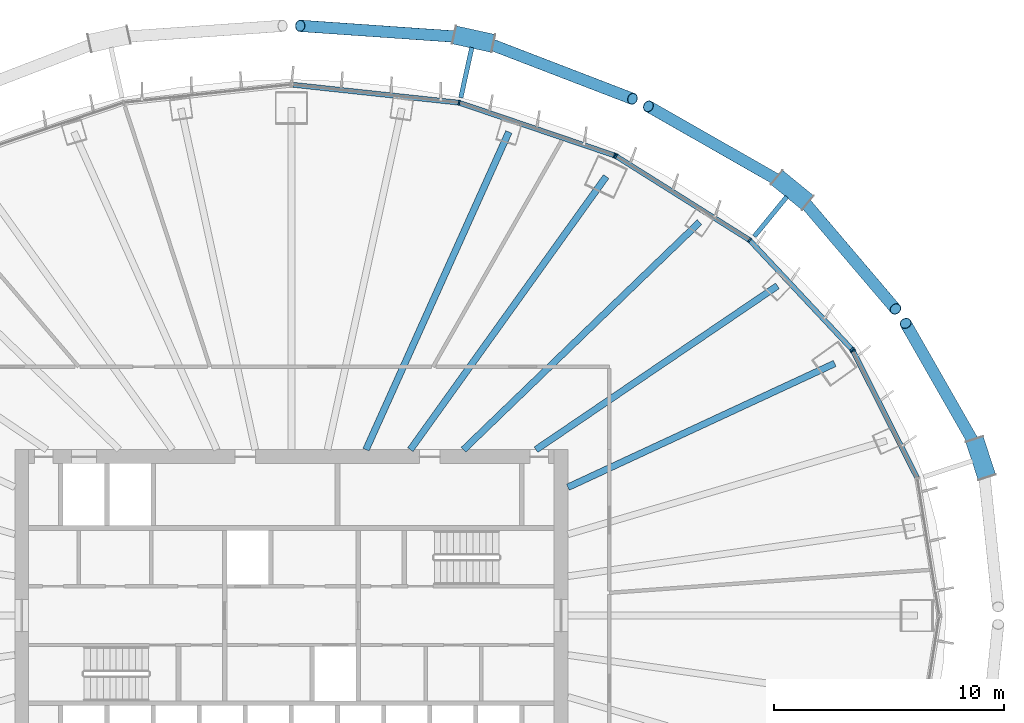
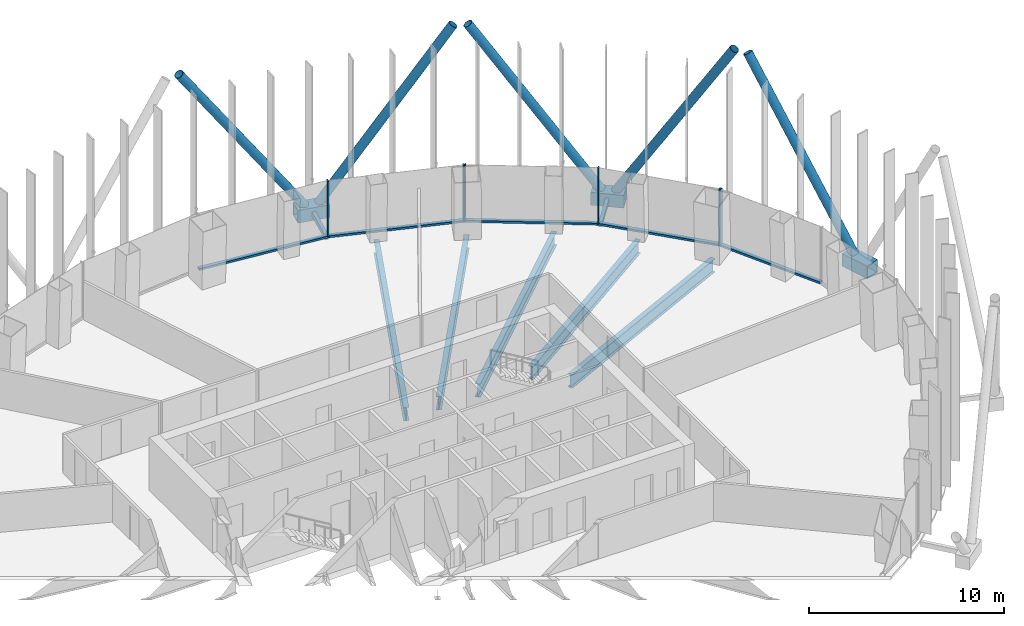
# One storey, part 6 of 22: 21 members, 5 beams, 3 elements without a shape of their own.
"""IFC4 building model written with IfcOpenShell, lengths in metres."""

from ifc_helpers import new_model, si_unit, direction, frame, origin, origin_2d, place, context, subcontext, project, spatial, rectangle, hollow_rectangle, hollow_circle, i_section, extrude, material, layer, layer_set, material_profile, profile_set, type_object, element, aggregate, save


model = new_model("IFC4")

# Units and contexts
model_context = context("Model", 3, precision=1e-05, world=origin(), true_north=direction((0.0, 1.0)))
body_context = subcontext(model_context, "Body", "Model", "MODEL_VIEW")
ifc_project = project(units=[si_unit("LENGTHUNIT", "METRE"), si_unit("AREAUNIT", "SQUARE_METRE"), si_unit("VOLUMEUNIT", "CUBIC_METRE"), si_unit("PLANEANGLEUNIT", "RADIAN"), si_unit("MASSUNIT", "GRAM", prefix="KILO")], contexts=[model_context])

# Site, building, storey
site_placement = place(None, origin())
site = spatial("IfcSite", under=ifc_project, at=site_placement, CompositionType="ELEMENT")
building_placement = place(site_placement, origin())
building = spatial("IfcBuilding", under=site, at=building_placement, Name="Siaravel Broadcast Tower", CompositionType="ELEMENT")
storey_placement = place(building_placement, frame((0.0, 0.0, 37.10009765625)))
storey = spatial("IfcBuildingStorey", under=building, at=storey_placement, Name="L07", CompositionType="ELEMENT", Elevation=37.10009765625)

# Beams
ifc_material_1 = material(Name="Steel S355", Category="steel")
ifc_material_profile_1 = material_profile(ifc_material_1, i_section(OverallWidth=0.291748046875, OverallDepth=0.8349609375, WebThickness=0.013916015625, FlangeThickness=0.018798828125, FilletRadius=0.017822265625, at=origin_2d()))
ifc_profile_set_1 = profile_set([ifc_material_profile_1], Name="Steel S355")
beam_type = type_object("IfcBeamType", Name="BM-UB 838x292x176", PredefinedType="BEAM", material=ifc_profile_set_1)
beam_1_placement = place(storey_placement, frame((23.5732421875, 10.939697265625, -0.5673828125), z_axis=(-0.907082041, -0.420953882, 0.0), x_axis=(0.420953882, -0.907082041, 0.0)))
element("IfcBeam", 1, at=beam_1_placement, inside=storey, type_object=beam_type, Name="Radial beam RB04", PredefinedType="BEAM", context=body_context, shape_type="SweptSolid", body=[
    extrude(i_section(OverallWidth=0.291748046875, OverallDepth=0.8349609375, WebThickness=0.013916015625, FlangeThickness=0.018798828125, FilletRadius=0.017822265625, at=origin_2d()), origin(), (0.0, 0.0, 1.0), 12.7587890625),
])
beam_2_placement = place(storey_placement, frame((21.088134765625, 14.305908203125, -0.5673828125), z_axis=(-0.827542342, -0.561403306, 0.0), x_axis=(0.561403306, -0.827542342, 0.0)))
element("IfcBeam", 2, at=beam_2_placement, inside=storey, type_object=beam_type, Name="Radial beam RB05", PredefinedType="BEAM", context=body_context, shape_type="SweptSolid", body=[
    extrude(i_section(OverallWidth=0.291748046875, OverallDepth=0.8349609375, WebThickness=0.013916015625, FlangeThickness=0.018798828125, FilletRadius=0.017822265625, at=origin_2d()), origin(), (0.0, 0.0, 1.0), 12.657470703125),
])
beam_3_placement = place(storey_placement, frame((17.7109375, 17.072021484375, -0.5673828125), z_axis=(-0.71997139, -0.694003745, 0.0), x_axis=(0.694003745, -0.71997139, 0.0)))
element("IfcBeam", 3, at=beam_3_placement, inside=storey, type_object=beam_type, Name="Radial beam RB06", PredefinedType="BEAM", context=body_context, shape_type="SweptSolid", body=[
    extrude(i_section(OverallWidth=0.291748046875, OverallDepth=0.8349609375, WebThickness=0.013916015625, FlangeThickness=0.018798828125, FilletRadius=0.017822265625, at=origin_2d()), origin(), (0.0, 0.0, 1.0), 14.224853515625),
])
beam_4_placement = place(storey_placement, frame((13.65869140625, 19.05126953125, -0.5673828125), z_axis=(-0.582661067, -0.812715252, 0.0), x_axis=(0.812715252, -0.582661067, 0.0)))
element("IfcBeam", 4, at=beam_4_placement, inside=storey, type_object=beam_type, Name="Radial beam RB07", PredefinedType="BEAM", context=body_context, shape_type="SweptSolid", body=[
    extrude(i_section(OverallWidth=0.291748046875, OverallDepth=0.8349609375, WebThickness=0.013916015625, FlangeThickness=0.018798828125, FilletRadius=0.017822265625, at=origin_2d()), origin(), (0.0, 0.0, 1.0), 14.582275390625),
])
beam_5_placement = place(storey_placement, frame((9.436279296875, 20.984130859375, -0.5673828125), z_axis=(-0.410122863, -0.912030283, 0.0), x_axis=(0.912030283, -0.410122863, 0.0)))
element("IfcBeam", 5, at=beam_5_placement, inside=storey, type_object=beam_type, Name="Radial beam RB08", PredefinedType="BEAM", context=body_context, shape_type="SweptSolid", body=[
    extrude(i_section(OverallWidth=0.291748046875, OverallDepth=0.8349609375, WebThickness=0.013916015625, FlangeThickness=0.018798828125, FilletRadius=0.017822265625, at=origin_2d()), origin(), (0.0, 0.0, 1.0), 15.11376953125),
])

# Curtain wall, member
ifc_material_2 = material(Name="Aluminium 6063-T6", Category="aluminium")
ifc_layer = layer(ifc_material_2, 0.219970703125)
ifc_layer_set = layer_set([ifc_layer], Name="Aluminium 6063-T6")
curtain_wall_type = type_object("IfcCurtainWallType", Name="Unitised curtain wall, zone 1", PredefinedType="NOTDEFINED", material=ifc_layer_set)
curtain_wall_1_placement = place(storey_placement, origin())
curtain_wall_1 = element("IfcCurtainWall", 6, at=curtain_wall_1_placement, inside=storey, type_object=curtain_wall_type, Name="L07 Unitised curtain wall, zone 1 01", PredefinedType="NOTDEFINED")
ifc_material_profile_2 = material_profile(ifc_material_2, rectangle(XDim=0.219970703125, YDim=0.070068359375, at=origin_2d()))
ifc_profile_set_2 = profile_set([ifc_material_profile_2], Name="Aluminium 6063-T6")
member_type_1 = type_object("IfcMemberType", Name="CW-Z1 mullion", PredefinedType="MULLION", material=ifc_profile_set_2)
member_1_placement = place(storey_placement, frame((24.362548828125, 11.4921875, 0.0), z_axis=(0.0, 0.0, 1.0), x_axis=(-0.892391814, -0.451261399, 0.0)))
member_1 = element("IfcMember", 7, at=member_1_placement, type_object=member_type_1, Name="CW-Z1 mullion 3", PredefinedType="MULLION", context=body_context, shape_type="SweptSolid", body=[
    extrude(rectangle(XDim=0.219970703125, YDim=0.070068359375, at=origin_2d()), origin(), (0.0, 0.0, 1.0), 3.5498046875),
])

# Curtain wall, members
curtain_wall_2_placement = place(storey_placement, origin())
curtain_wall_2 = element("IfcCurtainWall", 8, at=curtain_wall_2_placement, inside=storey, type_object=curtain_wall_type, Name="L07 Unitised curtain wall, zone 1 02", PredefinedType="NOTDEFINED")
member_2_placement = place(storey_placement, frame((24.322998046875, 11.549072265625, 0.0), z_axis=(0.0, 0.0, 1.0), x_axis=(-0.729804946, -0.683655426, 0.0)))
member_2 = element("IfcMember", 9, at=member_2_placement, type_object=member_type_1, Name="CW-Z1 mullion 1", PredefinedType="MULLION", context=body_context, shape_type="SweptSolid", body=[
    extrude(rectangle(XDim=0.219970703125, YDim=0.070068359375, at=origin_2d()), origin(), (0.0, 0.0, 1.0), 3.5498046875),
])
member_3_placement = place(storey_placement, frame((19.87744140625, 16.294677734375, 0.0), z_axis=(0.0, 0.0, 1.0), x_axis=(-0.63621841, -0.771508998, 0.0)))
member_3 = element("IfcMember", 10, at=member_3_placement, type_object=member_type_1, Name="CW-Z1 mullion 2", PredefinedType="MULLION", context=body_context, shape_type="SweptSolid", body=[
    extrude(rectangle(XDim=0.219970703125, YDim=0.070068359375, at=origin_2d()), origin(), (0.0, 0.0, 1.0), 3.5498046875),
])
member_4_placement = place(storey_placement, frame((14.083984375, 19.935791015625, 0.0), z_axis=(0.0, 0.0, 1.0), x_axis=(-0.532149101, -0.846650657, 0.0)))
member_4 = element("IfcMember", 11, at=member_4_placement, type_object=member_type_1, Name="CW-Z1 mullion 3", PredefinedType="MULLION", context=body_context, shape_type="SweptSolid", body=[
    extrude(rectangle(XDim=0.219970703125, YDim=0.070068359375, at=origin_2d()), origin(), (0.0, 0.0, 1.0), 3.5498046875),
])

curtain_wall_3_placement = place(storey_placement, origin())
curtain_wall_3 = element("IfcCurtainWall", 12, at=curtain_wall_3_placement, inside=storey, type_object=curtain_wall_type, Name="L07 Unitised curtain wall, zone 1 03", PredefinedType="NOTDEFINED")
member_5_placement = place(storey_placement, frame((14.021240234375, 19.9658203125, 0.0), z_axis=(0.0, 0.0, 1.0), x_axis=(-0.321300632, -0.946977246, 0.0)))
member_5 = element("IfcMember", 13, at=member_5_placement, type_object=member_type_1, Name="CW-Z1 mullion 1", PredefinedType="MULLION", context=body_context, shape_type="SweptSolid", body=[
    extrude(rectangle(XDim=0.219970703125, YDim=0.070068359375, at=origin_2d()), origin(), (0.0, 0.0, 1.0), 3.5498046875),
])
member_6_placement = place(storey_placement, frame((7.27490234375, 22.2548828125, 0.0), z_axis=(0.0, 0.0, 1.0), x_axis=(-0.215558083, -0.97649102, 0.0)))
member_6 = element("IfcMember", 14, at=member_6_placement, type_object=member_type_1, Name="CW-Z1 mullion 2", PredefinedType="MULLION", context=body_context, shape_type="SweptSolid", body=[
    extrude(rectangle(XDim=0.219970703125, YDim=0.070068359375, at=origin_2d()), origin(), (0.0, 0.0, 1.0), 3.5498046875),
])

# Member
ifc_material_profile_3 = material_profile(ifc_material_2, rectangle(XDim=0.219970703125, YDim=0.1201171875, at=origin_2d()))
ifc_profile_set_3 = profile_set([ifc_material_profile_3], Name="Aluminium 6063-T6")
member_type_2 = type_object("IfcMemberType", Name="CW-Z1 transom", PredefinedType="USERDEFINED", material=ifc_profile_set_3)
member_7_placement = place(storey_placement, frame((27.1416015625, 5.996826171875, 0.059814453125), z_axis=(-0.451275958, 0.892384452, 0.0), x_axis=(-0.892384452, -0.451275958, 0.0)))
member_7 = element("IfcMember", 15, at=member_7_placement, type_object=member_type_2, Name="CW-Z1 transom 2", ObjectType="TRANSOM", PredefinedType="USERDEFINED", context=body_context, shape_type="SweptSolid", body=[
    extrude(rectangle(XDim=0.219970703125, YDim=0.1201171875, at=origin_2d()), origin(), (0.0, 0.0, 1.0), 6.123046875),
])

aggregate(curtain_wall_1, [member_1, member_7])

member_8_placement = place(storey_placement, frame((24.299072265625, 11.574462890625, 0.059814453125), z_axis=(-0.683654492, 0.72980582, 0.0), x_axis=(-0.72980582, -0.683654492, 0.0)))
member_8 = element("IfcMember", 16, at=member_8_placement, type_object=member_type_2, Name="CW-Z1 transom 1", ObjectType="TRANSOM", PredefinedType="USERDEFINED", context=body_context, shape_type="SweptSolid", body=[
    extrude(rectangle(XDim=0.219970703125, YDim=0.1201171875, at=origin_2d()), origin(), (0.0, 0.0, 1.0), 6.4326171875),
])

member_9_placement = place(storey_placement, frame((19.847900390625, 16.313232421875, 0.059814453125), z_axis=(-0.846656967, 0.532139062, 0.0), x_axis=(-0.532139062, -0.846656967, 0.0)))
member_9 = element("IfcMember", 17, at=member_9_placement, type_object=member_type_2, Name="CW-Z1 transom 2", ObjectType="TRANSOM", PredefinedType="USERDEFINED", context=body_context, shape_type="SweptSolid", body=[
    extrude(rectangle(XDim=0.219970703125, YDim=0.1201171875, at=origin_2d()), origin(), (0.0, 0.0, 1.0), 6.772705078125),
])

aggregate(curtain_wall_2, [member_2, member_3, member_4, member_8, member_9])

member_10_placement = place(storey_placement, frame((13.988037109375, 19.97705078125, 0.059814453125), z_axis=(-0.946973811, 0.321310754, 0.0), x_axis=(-0.321310754, -0.946973811, 0.0)))
member_10 = element("IfcMember", 18, at=member_10_placement, type_object=member_type_2, Name="CW-Z1 transom 1", ObjectType="TRANSOM", PredefinedType="USERDEFINED", context=body_context, shape_type="SweptSolid", body=[
    extrude(rectangle(XDim=0.219970703125, YDim=0.1201171875, at=origin_2d()), origin(), (0.0, 0.0, 1.0), 7.05419921875),
])

member_11_placement = place(storey_placement, frame((7.239990234375, 22.258544921875, 0.059814453125), z_axis=(-0.994236438, 0.107209629, 0.0), x_axis=(-0.107209629, -0.994236438, 0.0)))
member_11 = element("IfcMember", 19, at=member_11_placement, type_object=member_type_2, Name="CW-Z1 transom 2", ObjectType="TRANSOM", PredefinedType="USERDEFINED", context=body_context, shape_type="SweptSolid", body=[
    extrude(rectangle(XDim=0.219970703125, YDim=0.1201171875, at=origin_2d()), origin(), (0.0, 0.0, 1.0), 7.2119140625),
])

aggregate(curtain_wall_3, [member_5, member_6, member_10, member_11])

# Members
ifc_material_3 = material(Name="Steel S460", Category="steel")
ifc_material_profile_4 = material_profile(ifc_material_3, hollow_circle(Radius=0.25390625, WallThickness=0.02001953125, at=origin_2d()))
ifc_profile_set_4 = profile_set([ifc_material_profile_4], Name="Steel S460")
member_type_3 = type_object("IfcMemberType", Name="Diagrid diagonal CHS 508x20", PredefinedType="BRACE", material=ifc_profile_set_4)
member_12_placement = place(storey_placement, frame((29.788818359375, 7.190673828125, 0.169921875), z_axis=(-0.257704977, 0.450853435, 0.854587225), x_axis=(-0.868181384, -0.496246999, 0.0)))
element("IfcMember", 20, at=member_12_placement, inside=storey, type_object=member_type_3, Name="Diagrid diagonal R04 station 03A", PredefinedType="BRACE", context=body_context, shape_type="SweptSolid", body=[
    extrude(hollow_circle(Radius=0.25390625, WallThickness=0.02001953125, at=origin_2d()), origin(), (0.0, 0.0, 1.0), 12.18115234375),
])
member_13_placement = place(storey_placement, frame((22.025390625, 18.222412109375, 0.169921875), z_axis=(0.341753532, -0.401555418, 0.849680981), x_axis=(0.761535421, 0.648123293, 0.0)))
element("IfcMember", 21, at=member_13_placement, inside=storey, type_object=member_type_3, Name="Diagrid diagonal R04 station 09C", PredefinedType="BRACE", context=body_context, shape_type="SweptSolid", body=[
    extrude(hollow_circle(Radius=0.25390625, WallThickness=0.02001953125, at=origin_2d()), origin(), (0.0, 0.0, 1.0), 12.25146484375),
])
member_14_placement = place(storey_placement, frame((21.4384765625, 18.703125, 0.169921875), z_axis=(-0.477526586, 0.272371369, 0.835333584), x_axis=(-0.495451824, -0.868635418, 0.0)))
element("IfcMember", 22, at=member_14_placement, inside=storey, type_object=member_type_3, Name="Diagrid diagonal R04 station 09A", PredefinedType="BRACE", context=body_context, shape_type="SweptSolid", body=[
    extrude(hollow_circle(Radius=0.25390625, WallThickness=0.02001953125, at=origin_2d()), origin(), (0.0, 0.0, 1.0), 12.4619140625),
])
member_15_placement = place(storey_placement, frame((8.279296875, 24.93115234375, 0.169921875), z_axis=(0.520194937, -0.200133392, 0.830267338), x_axis=(0.359070379, 0.933310486, 0.0)))
element("IfcMember", 23, at=member_15_placement, inside=storey, type_object=member_type_3, Name="Diagrid diagonal R04 station 15C", PredefinedType="BRACE", context=body_context, shape_type="SweptSolid", body=[
    extrude(hollow_circle(Radius=0.25390625, WallThickness=0.02001953125, at=origin_2d()), origin(), (0.0, 0.0, 1.0), 12.5380859375),
])
member_16_placement = place(storey_placement, frame((7.5380859375, 25.09375, 0.169921875), z_axis=(-0.566194211, 0.039198358, 0.823339301), x_axis=(-0.069065976, -0.997612094, 0.0)))
element("IfcMember", 24, at=member_16_placement, inside=storey, type_object=member_type_3, Name="Diagrid diagonal R04 station 15A", PredefinedType="BRACE", context=body_context, shape_type="SweptSolid", body=[
    extrude(hollow_circle(Radius=0.25390625, WallThickness=0.02001953125, at=origin_2d()), origin(), (0.0, 0.0, 1.0), 12.6435546875),
])
ifc_material_profile_5 = material_profile(ifc_material_3, hollow_rectangle(XDim=0.800048828125, YDim=0.800048828125, WallThickness=0.050048828125, at=origin_2d()))
ifc_profile_set_5 = profile_set([ifc_material_profile_5], Name="Steel S460")
member_type_4 = type_object("IfcMemberType", Name="Diagrid node BOX 800x800x50", PredefinedType="USERDEFINED", material=ifc_profile_set_5)
member_17_placement = place(storey_placement, frame((30.17431640625, 6.01220703125, -0.2001953125), z_axis=(-0.310817725, 0.950469538, 0.0), x_axis=(-0.950469538, -0.310817725, 0.0)))
element("IfcMember", 25, at=member_17_placement, inside=storey, type_object=member_type_4, Name="Diagrid node R04 station 03", ObjectType="DIAGRID NODE", PredefinedType="USERDEFINED", context=body_context, shape_type="SweptSolid", body=[
    extrude(hollow_rectangle(XDim=0.800048828125, YDim=0.800048828125, WallThickness=0.050048828125, at=origin_2d()), origin(), (0.0, 0.0, 1.0), 1.720947265625),
])
member_18_placement = place(storey_placement, frame((22.397705078125, 17.91748046875, -0.2001953125), z_axis=(-0.773634883, 0.63363165, 0.0), x_axis=(-0.63363165, -0.773634883, 0.0)))
element("IfcMember", 26, at=member_18_placement, inside=storey, type_object=member_type_4, Name="Diagrid node R04 station 09", ObjectType="DIAGRID NODE", PredefinedType="USERDEFINED", context=body_context, shape_type="SweptSolid", body=[
    extrude(hollow_rectangle(XDim=0.800048828125, YDim=0.800048828125, WallThickness=0.050048828125, at=origin_2d()), origin(), (0.0, 0.0, 1.0), 1.72119140625),
])
member_19_placement = place(storey_placement, frame((8.749267578125, 24.827880859375, -0.2001953125), z_axis=(-0.976724775, 0.214496421, 0.0), x_axis=(-0.214496421, -0.976724775, 0.0)))
element("IfcMember", 27, at=member_19_placement, inside=storey, type_object=member_type_4, Name="Diagrid node R04 station 15", ObjectType="DIAGRID NODE", PredefinedType="USERDEFINED", context=body_context, shape_type="SweptSolid", body=[
    extrude(hollow_rectangle(XDim=0.800048828125, YDim=0.800048828125, WallThickness=0.050048828125, at=origin_2d()), origin(), (0.0, 0.0, 1.0), 1.720947265625),
])
ifc_material_profile_6 = material_profile(ifc_material_3, hollow_rectangle(XDim=0.199951171875, YDim=0.300048828125, WallThickness=0.012451171875, at=origin_2d()))
ifc_profile_set_6 = profile_set([ifc_material_profile_6], Name="Steel S460")
member_type_5 = type_object("IfcMemberType", Name="Diagrid node arm RHS 300x200x12.5", PredefinedType="STRUT", material=ifc_profile_set_6)
member_20_placement = place(storey_placement, frame((20.08447265625, 16.451416015625, -0.2001953125), z_axis=(0.633613339, 0.77364988, 0.0), x_axis=(-0.77364988, 0.633613339, 0.0)))
element("IfcMember", 28, at=member_20_placement, inside=storey, type_object=member_type_5, Name="Node arm R04 station 09", PredefinedType="STRUT", context=body_context, shape_type="SweptSolid", body=[
    extrude(hollow_rectangle(XDim=0.199951171875, YDim=0.300048828125, WallThickness=0.012451171875, at=origin_2d()), origin(), (0.0, 0.0, 1.0), 2.229736328125),
])
member_21_placement = place(storey_placement, frame((7.351318359375, 22.472900390625, -0.2001953125), z_axis=(0.214460789, 0.976732599, 0.0), x_axis=(-0.976732599, 0.214460789, 0.0)))
element("IfcMember", 29, at=member_21_placement, inside=storey, type_object=member_type_5, Name="Node arm R04 station 15", PredefinedType="STRUT", context=body_context, shape_type="SweptSolid", body=[
    extrude(hollow_rectangle(XDim=0.199951171875, YDim=0.300048828125, WallThickness=0.012451171875, at=origin_2d()), origin(), (0.0, 0.0, 1.0), 2.230224609375),
])

save(model, "model.ifc")
